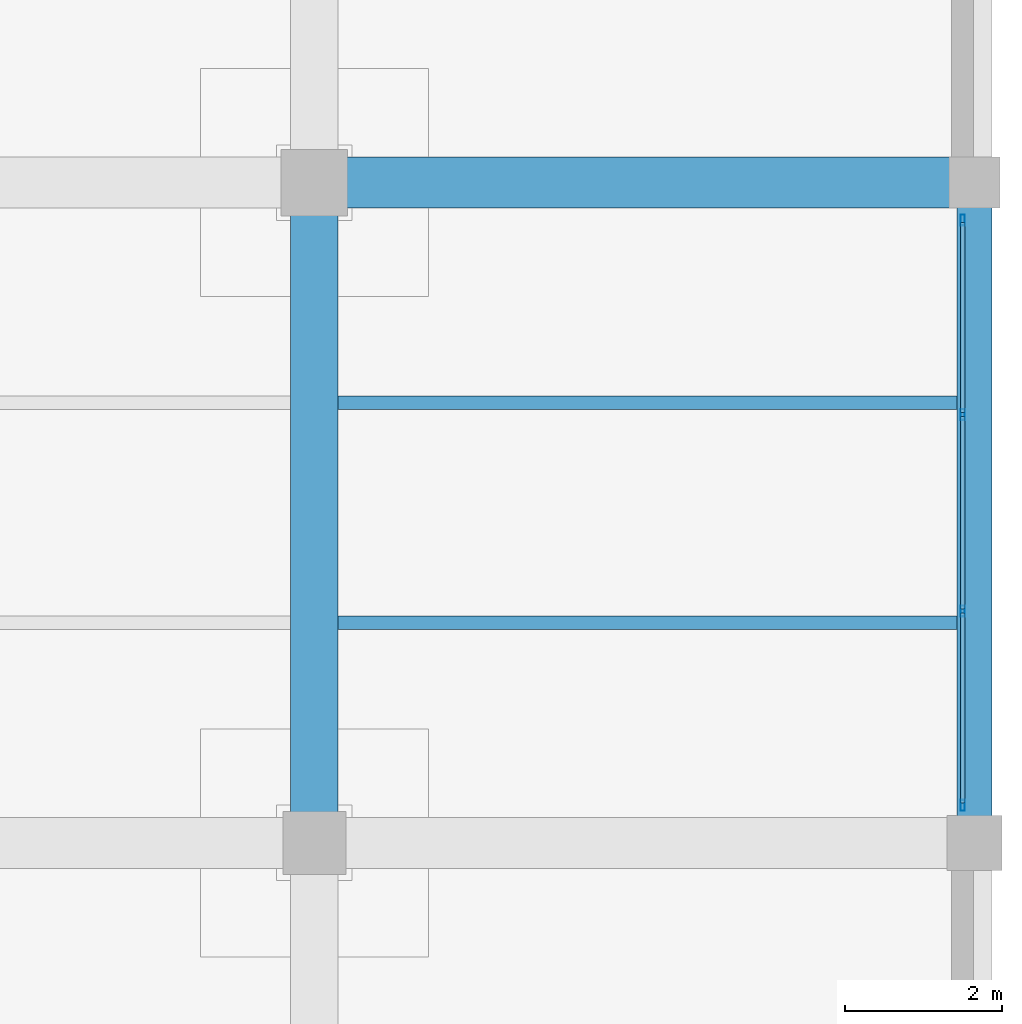
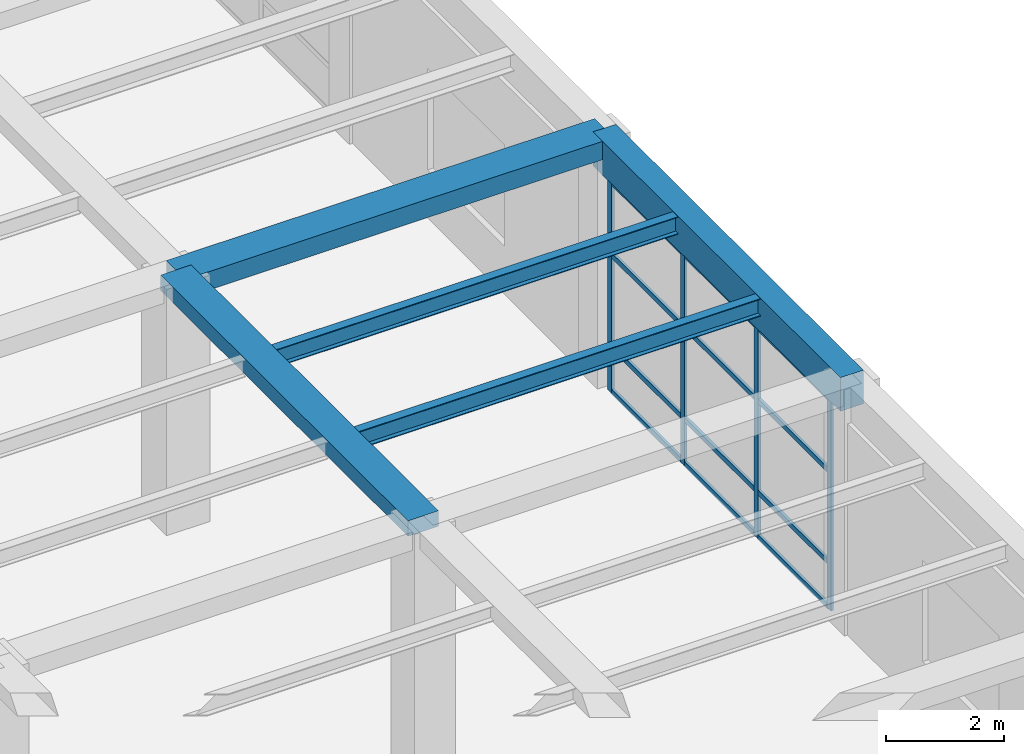
# One storey, part 34 of 65: 16 members, 5 beams, 1 element without a shape of its own.
"""IFC4 building model written with IfcOpenShell, lengths in metres."""

import ifcopenshell
import ifcopenshell.guid

model = None  # the IFC model being written
_history = None  # IfcOwnerHistory: only IFC2X3 demands one
_inside = {}  # id of a spatial element -> (the spatial element, [elements in it])
_under = {}  # id of a project, library or spatial element -> (it, [spatial elements below it])
_declared = {}  # id of a project -> (the project, [libraries it declares])
_typed = {}  # id of a type object -> (the type object, [elements of that type])
_made_of = {}  # id of a material, layer set ... -> (it, [elements and type objects made of it])


def new_model(schema):
    """Start an empty IFC model of exactly this schema.

    Asked for "IFC4X3", IfcOpenShell would pick the latest addendum, in which some entities
    have other attributes; the version numbers below select the first issue.
    IFC2X3 requires an IfcOwnerHistory on every rooted entity: one is made here for all.
    """
    global model, _history
    if schema == "IFC4X3":
        model = ifcopenshell.file(schema_version=(4, 3, 0, 0))
    else:
        model = ifcopenshell.file(schema=schema)
    _inside.clear()
    _under.clear()
    _declared.clear()
    _typed.clear()
    _made_of.clear()
    _history = None
    if model.schema == "IFC2X3":
        org = make("IfcOrganization", Name="unknown")
        user = make(
            "IfcPersonAndOrganization",
            ThePerson=make("IfcPerson", FamilyName="unknown"),
            TheOrganization=org,
        )
        app = make(
            "IfcApplication",
            ApplicationDeveloper=org,
            Version="unknown",
            ApplicationFullName="unknown",
            ApplicationIdentifier="unknown",
        )
        _history = make(
            "IfcOwnerHistory",
            OwningUser=user,
            OwningApplication=app,
            ChangeAction="ADDED",
            CreationDate=0,
        )
    return model


def make(cls, **values):
    """One entity of the class cls with the attributes given. An attribute that is None is left unset."""
    return model.create_entity(
        cls, **{name: value for name, value in values.items() if value is not None}
    )


def rooted(cls, **values):
    """An entity with a GlobalId (a new one), such as an element, a storey or a relation."""
    return make(cls, GlobalId=ifcopenshell.guid.new(), OwnerHistory=_history, **values)


def si_unit(unit_type, name, prefix=None):
    """IfcSIUnit, for example si_unit("LENGTHUNIT", "METRE", prefix="MILLI")."""
    return make("IfcSIUnit", UnitType=unit_type, Prefix=prefix, Name=name)


def assignment(units):
    """IfcUnitAssignment: the units of a project."""
    return None if units is None else make("IfcUnitAssignment", Units=units)


def point(xyz):
    """IfcCartesianPoint."""
    return None if xyz is None else make("IfcCartesianPoint", Coordinates=xyz)


def direction(xyz):
    """IfcDirection."""
    return None if xyz is None else make("IfcDirection", DirectionRatios=xyz)


def frame(location, z_axis=None, x_axis=None):
    """IfcAxis2Placement3D, a coordinate frame: its origin and axes. An axis left out is left unset."""
    return make(
        "IfcAxis2Placement3D",
        Location=point(location),
        Axis=direction(z_axis),
        RefDirection=direction(x_axis),
    )


def frame_2d(location, x_axis=None):
    """IfcAxis2Placement2D, a coordinate frame in the plane: its origin and x axis."""
    return make(
        "IfcAxis2Placement2D", Location=point(location), RefDirection=direction(x_axis)
    )


def origin():
    """The frame at (0, 0, 0) with its axes left unset."""
    return frame((0.0, 0.0, 0.0))


def origin_2d():
    """The frame at (0, 0) in the plane with its x axis left unset."""
    return frame_2d((0.0, 0.0))


def place(relative_to, where):
    """IfcLocalPlacement: puts the frame where relative to a parent placement (None: the world)."""
    return make(
        "IfcLocalPlacement", PlacementRelTo=relative_to, RelativePlacement=where
    )


def context(
    kind, dimensions, precision=None, world=None, true_north=None, identifier=None
):
    """IfcGeometricRepresentationContext, for example the 3D "Model" context."""
    return make(
        "IfcGeometricRepresentationContext",
        ContextIdentifier=identifier,
        ContextType=kind,
        CoordinateSpaceDimension=dimensions,
        Precision=precision,
        WorldCoordinateSystem=world,
        TrueNorth=true_north,
    )


def subcontext(parent, identifier, kind, view, scale=None):
    """IfcGeometricRepresentationSubContext, for example "Body" below "Model"."""
    return make(
        "IfcGeometricRepresentationSubContext",
        ContextIdentifier=identifier,
        ContextType=kind,
        ParentContext=parent,
        TargetScale=scale,
        TargetView=view,
    )


def project(units=None, contexts=None):
    """IfcProject with its units and contexts."""
    return rooted(
        "IfcProject",
        Name="project",
        RepresentationContexts=contexts,
        UnitsInContext=assignment(units),
    )


def spatial(cls, under=None, at=None, **own):
    """A site, building, storey or space (cls), placed at a placement, below another one or the project."""
    s = rooted(cls, ObjectPlacement=at, **own)
    if under is not None:
        _under.setdefault(under.id(), (under, []))[1].append(s)
    return s


def profile(cls, at=None, kind="AREA", **sizes):
    """A parametric profile (cls). Its sizes go by their IFC names, for example OverallWidth=200.0."""
    return make(cls, ProfileType=kind, Position=at, **sizes)


def rectangle(**sizes):
    """IfcRectangleProfileDef."""
    return profile("IfcRectangleProfileDef", **sizes)


def hollow_rectangle(**sizes):
    """IfcRectangleHollowProfileDef."""
    return profile("IfcRectangleHollowProfileDef", **sizes)


def i_section(**sizes):
    """IfcIShapeProfileDef."""
    return profile("IfcIShapeProfileDef", **sizes)


def extrude(swept, where, along, depth):
    """IfcExtrudedAreaSolid: the profile swept, set in the frame where, extruded along a direction by depth."""
    return make(
        "IfcExtrudedAreaSolid",
        SweptArea=swept,
        Position=where,
        ExtrudedDirection=direction(along),
        Depth=depth,
    )


def shape(context_of_items, identifier, shape_type, items):
    """IfcShapeRepresentation: the items that make up one representation, for example the "Body"."""
    return make(
        "IfcShapeRepresentation",
        ContextOfItems=context_of_items,
        RepresentationIdentifier=identifier,
        RepresentationType=shape_type,
        Items=items,
    )


def material(Name=None, Category=None):
    """IfcMaterial."""
    return make("IfcMaterial", Name=Name, Category=Category)


def material_profile(
    of_material, cross_section, Name=None, Category=None, Priority=None
):
    """IfcMaterialProfile: a cross section and its material."""
    return make(
        "IfcMaterialProfile",
        Name=Name,
        Material=of_material,
        Profile=cross_section,
        Priority=Priority,
        Category=Category,
    )


def profile_set(profiles, Name=None, composite=None):
    """IfcMaterialProfileSet."""
    return make(
        "IfcMaterialProfileSet",
        Name=Name,
        MaterialProfiles=profiles,
        CompositeProfile=composite,
    )


def made_of(thing, what):
    """Note that an element or type object is made of a material, layer set ...; save() writes the relation."""
    if what is not None:
        _made_of.setdefault(what.id(), (what, []))[1].append(thing)
    return thing


def type_object(cls, material=None, **own):
    """A type object (cls), such as IfcWallType, which elements share."""
    return made_of(rooted(cls, **own), material)


def element(
    cls,
    number,
    at=None,
    inside=None,
    cuts=None,
    type_object=None,
    material=None,
    context=None,
    identifier="Body",
    shape_type=None,
    held_by="IfcProductDefinitionShape",
    body=None,
    shapes=None,
    **own,
):
    """One element of the class cls, such as IfcWall. Its Tag is "e" and its number.

    at: its placement. inside: the storey or other place that contains it. cuts: it is an
    opening in that element (IfcRelVoidsElement). A single representation is given by context,
    identifier, shape_type and body (its items); several are given by shapes. held_by: the class
    of the entity that holds the representations. save() writes the other relations.
    """
    e = rooted(cls, Tag="e%d" % number, ObjectPlacement=at, **own)
    if body is not None:
        shapes = [shape(context, identifier, shape_type, body)]
    if shapes is not None:
        e.Representation = make(held_by, Representations=shapes)
    if inside is not None:
        _inside.setdefault(inside.id(), (inside, []))[1].append(e)
    if cuts is not None:
        rooted(
            "IfcRelVoidsElement", RelatingBuildingElement=cuts, RelatedOpeningElement=e
        )
    if type_object is not None:
        _typed.setdefault(type_object.id(), (type_object, []))[1].append(e)
    return made_of(e, material)


def aggregate(whole, parts):
    """IfcRelAggregates: a whole, such as a stair, and the parts it consists of."""
    return rooted("IfcRelAggregates", RelatingObject=whole, RelatedObjects=parts)


def save(model, path):
    """Write the relations noted so far, then the file.

    IfcRelAggregates (storeys below a building ...), IfcRelContainedInSpatialStructure (elements
    in a storey), IfcRelDefinesByType, IfcRelAssociatesMaterial and IfcRelDeclares: one each for
    every whole, place, type object, material and project.
    """
    for whole, parts in _under.values():
        aggregate(whole, parts)
    for where, things in _inside.values():
        rooted(
            "IfcRelContainedInSpatialStructure",
            RelatedElements=things,
            RelatingStructure=where,
        )
    for kind, things in _typed.values():
        rooted("IfcRelDefinesByType", RelatedObjects=things, RelatingType=kind)
    for what, things in _made_of.values():
        rooted("IfcRelAssociatesMaterial", RelatedObjects=things, RelatingMaterial=what)
    for by, libraries in _declared.values():
        rooted("IfcRelDeclares", RelatingContext=by, RelatedDefinitions=libraries)
    model.write(path)


model = new_model("IFC4")

# Units and contexts
model_context = context("Model", 3, precision=1e-05, world=origin(), true_north=direction((0.0, 1.0)))
body_context = subcontext(model_context, "Body", "Model", "MODEL_VIEW")
ifc_project = project(units=[si_unit("LENGTHUNIT", "METRE"), si_unit("AREAUNIT", "SQUARE_METRE"), si_unit("VOLUMEUNIT", "CUBIC_METRE"), si_unit("PLANEANGLEUNIT", "RADIAN"), si_unit("MASSUNIT", "GRAM", prefix="KILO")], contexts=[model_context])

# Site, building, storey
site_placement = place(None, origin())
site = spatial("IfcSite", under=ifc_project, at=site_placement, CompositionType="ELEMENT")
building_placement = place(site_placement, origin())
building = spatial("IfcBuilding", under=site, at=building_placement, Name="Almacenes y Pasaje Nevantli", CompositionType="ELEMENT")
storey_placement = place(building_placement, frame((0.0, 0.0, 16.800048828125)))
storey = spatial("IfcBuildingStorey", under=building, at=storey_placement, Name="L04", CompositionType="ELEMENT", Elevation=16.800048828125)

# Beams
ifc_material_1 = material(Name="Concrete C35/45", Category="concrete")
ifc_material_profile_1 = material_profile(ifc_material_1, rectangle(XDim=0.449951171875, YDim=0.699951171875, at=origin_2d()), Name="RC-BM-450x700")
ifc_profile_set_1 = profile_set([ifc_material_profile_1], Name="Concrete C35/45")
beam_type_1 = type_object("IfcBeamType", Name="BM-RC-450x700", PredefinedType="SPANDREL", material=ifc_profile_set_1)
beam_1_placement = place(storey_placement, frame((168.0, 67.199951171875, 4.75), z_axis=(0.0, 1.0, 0.0), x_axis=(-1.0, 0.0, 0.0)))
element("IfcBeam", 1, at=beam_1_placement, inside=storey, type_object=beam_type_1, Name="L04 North-South Reinforced Concrete Beam #3223", PredefinedType="SPANDREL", context=body_context, shape_type="SweptSolid", body=[
    extrude(rectangle(XDim=0.449951171875, YDim=0.699951171875, at=origin_2d()), origin(), (0.0, 0.0, 1.0), 8.400146484375),
])
ifc_material_2 = material(Name="Concrete C35/45", Category="concrete")
ifc_material_profile_2 = material_profile(ifc_material_2, rectangle(XDim=0.60009765625, YDim=0.320068359375, at=origin_2d()), Name="RC-BM-600x320")
ifc_profile_set_2 = profile_set([ifc_material_profile_2], Name="Concrete C35/45")
beam_type_2 = type_object("IfcBeamType", Name="BM-RC-600x320", PredefinedType="BEAM", material=ifc_profile_set_2)
beam_2_placement = place(storey_placement, frame((159.60009765625, 67.199951171875, 4.93994140625), z_axis=(0.0, 1.0, 0.0), x_axis=(-1.0, 0.0, 0.0)))
element("IfcBeam", 2, at=beam_2_placement, inside=storey, type_object=beam_type_2, Name="L04 North-South Reinforced Concrete Beam #3209", PredefinedType="BEAM", context=body_context, shape_type="SweptSolid", body=[
    extrude(rectangle(XDim=0.60009765625, YDim=0.320068359375, at=origin_2d()), origin(), (0.0, 0.0, 1.0), 8.400146484375),
])
ifc_material_3 = material(Name="Concrete C35/45", Category="concrete")
ifc_material_profile_3 = material_profile(ifc_material_3, rectangle(XDim=0.64990234375, YDim=0.3798828125, at=origin_2d()), Name="RC-BM-650x380")
ifc_profile_set_3 = profile_set([ifc_material_profile_3], Name="Concrete C35/45")
beam_type_3 = type_object("IfcBeamType", Name="BM-RC-650x380", PredefinedType="BEAM", material=ifc_profile_set_3)
beam_3_placement = place(storey_placement, frame((159.60009765625, 75.60009765625, 4.909912109375), z_axis=(1.0, 0.0, 0.0), x_axis=(0.0, 1.0, 0.0)))
element("IfcBeam", 3, at=beam_3_placement, inside=storey, type_object=beam_type_3, Name="L04 East-West Reinforced Concrete Beam #2904", PredefinedType="BEAM", context=body_context, shape_type="SweptSolid", body=[
    extrude(rectangle(XDim=0.64990234375, YDim=0.3798828125, at=origin_2d()), origin(), (0.0, 0.0, 1.0), 8.39990234375),
])
ifc_material_4 = material(Name="Steel ASTM A992", Category="steel")
ifc_material_profile_4 = material_profile(ifc_material_4, i_section(OverallWidth=0.173095703125, OverallDepth=0.364013671875, WebThickness=0.009033203125, FlangeThickness=0.015625, at=origin_2d()), Name="IR 356x67.0")
ifc_profile_set_4 = profile_set([ifc_material_profile_4], Name="Steel ASTM A992")
beam_type_4 = type_object("IfcBeamType", Name="BM-STL-IR-356x67p0", PredefinedType="JOIST", material=ifc_profile_set_4)
for number, where, z_axis, x_axis, name in (
    (4, (159.89990234375, 70.0, 4.909912109375), (1.0, 0.0, 0.0), (0.0, 1.0, 0.0), "L04 Secondary Steel Floor Joist #1341"),
    (5, (159.89990234375, 72.800048828125, 4.909912109375), (1.0, 0.0, 0.0), (0.0, 1.0, 0.0), "L04 Secondary Steel Floor Joist #1342"),
):
    element("IfcBeam", number, at=place(storey_placement, frame(where, z_axis=z_axis, x_axis=x_axis)), inside=storey, type_object=beam_type_4, Name=name, PredefinedType="JOIST", context=body_context, shape_type="SweptSolid", body=[
        extrude(i_section(OverallWidth=0.173095703125, OverallDepth=0.364013671875, WebThickness=0.009033203125, FlangeThickness=0.015625, at=origin_2d()), origin(), (0.0, 0.0, 1.0), 7.875),
    ])

# Curtain wall, members
ifc_material_5 = material(Name="Thermally Broken Aluminium and Low-E Glass", Category="aluminium")
curtain_wall_type = type_object("IfcCurtainWallType", Name="CW-UNIT-PODIUM", PredefinedType="USERDEFINED", material=ifc_material_5)
curtain_wall_placement = place(storey_placement, origin())
curtain_wall = element("IfcCurtainWall", 6, at=curtain_wall_placement, inside=storey, type_object=curtain_wall_type, Name="L04 East Office Wing Curtain Wall Bay 9", ObjectType="UNITIZED CURTAIN WALL", PredefinedType="USERDEFINED")
ifc_material_6 = material(Name="Thermally Broken Anodized Aluminium", Category="aluminium")
ifc_material_profile_5 = material_profile(ifc_material_6, hollow_rectangle(XDim=0.054931640625, YDim=0.139892578125, WallThickness=0.00341796875, at=origin_2d()), Name="ALU-MUL-55x140")
ifc_profile_set_5 = profile_set([ifc_material_profile_5], Name="Thermally Broken Anodized Aluminium")
member_type_1 = type_object("IfcMemberType", Name="CW-MUL-160", PredefinedType="MULLION", material=ifc_profile_set_5)
member_1_placement = place(storey_placement, frame((167.85009765625, 67.677490234375, 0.0), z_axis=(0.0, 0.0, 1.0), x_axis=(-1.0, 0.0, 0.0)))
member_1 = element("IfcMember", 7, at=member_1_placement, type_object=member_type_1, Name="CW-L04-080 mullion 1", PredefinedType="MULLION", context=body_context, shape_type="SweptSolid", body=[
    extrude(hollow_rectangle(XDim=0.054931640625, YDim=0.139892578125, WallThickness=0.00341796875, at=origin_2d()), origin(), (0.0, 0.0, 1.0), 4.3798828125),
])
member_2_placement = place(storey_placement, frame((167.85009765625, 70.14990234375, 0.0), z_axis=(0.0, 0.0, 1.0), x_axis=(-1.0, 0.0, 0.0)))
member_2 = element("IfcMember", 8, at=member_2_placement, type_object=member_type_1, Name="CW-L04-080 mullion 2", PredefinedType="MULLION", context=body_context, shape_type="SweptSolid", body=[
    extrude(hollow_rectangle(XDim=0.054931640625, YDim=0.139892578125, WallThickness=0.00341796875, at=origin_2d()), origin(), (0.0, 0.0, 1.0), 4.3798828125),
])
member_3_placement = place(storey_placement, frame((167.85009765625, 72.64990234375, 0.0), z_axis=(0.0, 0.0, 1.0), x_axis=(-1.0, 0.0, 0.0)))
member_3 = element("IfcMember", 9, at=member_3_placement, type_object=member_type_1, Name="CW-L04-080 mullion 3", PredefinedType="MULLION", context=body_context, shape_type="SweptSolid", body=[
    extrude(hollow_rectangle(XDim=0.054931640625, YDim=0.139892578125, WallThickness=0.00341796875, at=origin_2d()), origin(), (0.0, 0.0, 1.0), 4.3798828125),
])
member_4_placement = place(storey_placement, frame((167.85009765625, 75.12255859375, 0.0), z_axis=(0.0, 0.0, 1.0), x_axis=(-1.0, 0.0, 0.0)))
member_4 = element("IfcMember", 10, at=member_4_placement, type_object=member_type_1, Name="CW-L04-080 mullion 4", PredefinedType="MULLION", context=body_context, shape_type="SweptSolid", body=[
    extrude(hollow_rectangle(XDim=0.054931640625, YDim=0.139892578125, WallThickness=0.00341796875, at=origin_2d()), origin(), (0.0, 0.0, 1.0), 4.3798828125),
])
ifc_material_7 = material(Name="Thermally Broken Anodized Aluminium", Category="aluminium")
ifc_material_profile_6 = material_profile(ifc_material_7, hollow_rectangle(XDim=0.054931640625, YDim=0.10498046875, WallThickness=0.003173828125, at=origin_2d()), Name="ALU-TRN-55x105")
ifc_profile_set_6 = profile_set([ifc_material_profile_6], Name="Thermally Broken Anodized Aluminium")
member_type_2 = type_object("IfcMemberType", Name="CW-TRN-120", PredefinedType="USERDEFINED", material=ifc_profile_set_6)
member_5_placement = place(storey_placement, frame((167.85009765625, 67.705078125, 0.02734375), z_axis=(0.0, 1.0, 0.0), x_axis=(-1.0, 0.0, 0.0)))
member_5 = element("IfcMember", 11, at=member_5_placement, type_object=member_type_2, Name="CW-L04-080 transom 1.1", ObjectType="TRANSOM", PredefinedType="USERDEFINED", context=body_context, shape_type="SweptSolid", body=[
    extrude(hollow_rectangle(XDim=0.054931640625, YDim=0.10498046875, WallThickness=0.003173828125, at=origin_2d()), origin(), (0.0, 0.0, 1.0), 2.41748046875),
])
member_6_placement = place(storey_placement, frame((167.85009765625, 67.705078125, 0.949951171875), z_axis=(0.0, 1.0, 0.0), x_axis=(-1.0, 0.0, 0.0)))
member_6 = element("IfcMember", 12, at=member_6_placement, type_object=member_type_2, Name="CW-L04-080 transom 1.2", ObjectType="TRANSOM", PredefinedType="USERDEFINED", context=body_context, shape_type="SweptSolid", body=[
    extrude(hollow_rectangle(XDim=0.054931640625, YDim=0.10498046875, WallThickness=0.003173828125, at=origin_2d()), origin(), (0.0, 0.0, 1.0), 2.41748046875),
])
member_7_placement = place(storey_placement, frame((167.85009765625, 67.705078125, 2.849853515625), z_axis=(0.0, 1.0, 0.0), x_axis=(-1.0, 0.0, 0.0)))
member_7 = element("IfcMember", 13, at=member_7_placement, type_object=member_type_2, Name="CW-L04-080 transom 1.3", ObjectType="TRANSOM", PredefinedType="USERDEFINED", context=body_context, shape_type="SweptSolid", body=[
    extrude(hollow_rectangle(XDim=0.054931640625, YDim=0.10498046875, WallThickness=0.003173828125, at=origin_2d()), origin(), (0.0, 0.0, 1.0), 2.41748046875),
])
member_8_placement = place(storey_placement, frame((167.85009765625, 67.705078125, 4.3525390625), z_axis=(0.0, 1.0, 0.0), x_axis=(-1.0, 0.0, 0.0)))
member_8 = element("IfcMember", 14, at=member_8_placement, type_object=member_type_2, Name="CW-L04-080 transom 1.4", ObjectType="TRANSOM", PredefinedType="USERDEFINED", context=body_context, shape_type="SweptSolid", body=[
    extrude(hollow_rectangle(XDim=0.054931640625, YDim=0.10498046875, WallThickness=0.003173828125, at=origin_2d()), origin(), (0.0, 0.0, 1.0), 2.41748046875),
])
member_9_placement = place(storey_placement, frame((167.85009765625, 70.177490234375, 0.02734375), z_axis=(0.0, 1.0, 0.0), x_axis=(-1.0, 0.0, 0.0)))
member_9 = element("IfcMember", 15, at=member_9_placement, type_object=member_type_2, Name="CW-L04-080 transom 2.1", ObjectType="TRANSOM", PredefinedType="USERDEFINED", context=body_context, shape_type="SweptSolid", body=[
    extrude(hollow_rectangle(XDim=0.054931640625, YDim=0.10498046875, WallThickness=0.003173828125, at=origin_2d()), origin(), (0.0, 0.0, 1.0), 2.445068359375),
])
member_10_placement = place(storey_placement, frame((167.85009765625, 70.177490234375, 0.949951171875), z_axis=(0.0, 1.0, 0.0), x_axis=(-1.0, 0.0, 0.0)))
member_10 = element("IfcMember", 16, at=member_10_placement, type_object=member_type_2, Name="CW-L04-080 transom 2.2", ObjectType="TRANSOM", PredefinedType="USERDEFINED", context=body_context, shape_type="SweptSolid", body=[
    extrude(hollow_rectangle(XDim=0.054931640625, YDim=0.10498046875, WallThickness=0.003173828125, at=origin_2d()), origin(), (0.0, 0.0, 1.0), 2.445068359375),
])
member_11_placement = place(storey_placement, frame((167.85009765625, 70.177490234375, 2.849853515625), z_axis=(0.0, 1.0, 0.0), x_axis=(-1.0, 0.0, 0.0)))
member_11 = element("IfcMember", 17, at=member_11_placement, type_object=member_type_2, Name="CW-L04-080 transom 2.3", ObjectType="TRANSOM", PredefinedType="USERDEFINED", context=body_context, shape_type="SweptSolid", body=[
    extrude(hollow_rectangle(XDim=0.054931640625, YDim=0.10498046875, WallThickness=0.003173828125, at=origin_2d()), origin(), (0.0, 0.0, 1.0), 2.445068359375),
])
member_12_placement = place(storey_placement, frame((167.85009765625, 70.177490234375, 4.3525390625), z_axis=(0.0, 1.0, 0.0), x_axis=(-1.0, 0.0, 0.0)))
member_12 = element("IfcMember", 18, at=member_12_placement, type_object=member_type_2, Name="CW-L04-080 transom 2.4", ObjectType="TRANSOM", PredefinedType="USERDEFINED", context=body_context, shape_type="SweptSolid", body=[
    extrude(hollow_rectangle(XDim=0.054931640625, YDim=0.10498046875, WallThickness=0.003173828125, at=origin_2d()), origin(), (0.0, 0.0, 1.0), 2.445068359375),
])
member_13_placement = place(storey_placement, frame((167.85009765625, 72.677490234375, 0.02734375), z_axis=(0.0, 1.0, 0.0), x_axis=(-1.0, 0.0, 0.0)))
member_13 = element("IfcMember", 19, at=member_13_placement, type_object=member_type_2, Name="CW-L04-080 transom 3.1", ObjectType="TRANSOM", PredefinedType="USERDEFINED", context=body_context, shape_type="SweptSolid", body=[
    extrude(hollow_rectangle(XDim=0.054931640625, YDim=0.10498046875, WallThickness=0.003173828125, at=origin_2d()), origin(), (0.0, 0.0, 1.0), 2.41748046875),
])
member_14_placement = place(storey_placement, frame((167.85009765625, 72.677490234375, 0.949951171875), z_axis=(0.0, 1.0, 0.0), x_axis=(-1.0, 0.0, 0.0)))
member_14 = element("IfcMember", 20, at=member_14_placement, type_object=member_type_2, Name="CW-L04-080 transom 3.2", ObjectType="TRANSOM", PredefinedType="USERDEFINED", context=body_context, shape_type="SweptSolid", body=[
    extrude(hollow_rectangle(XDim=0.054931640625, YDim=0.10498046875, WallThickness=0.003173828125, at=origin_2d()), origin(), (0.0, 0.0, 1.0), 2.41748046875),
])
member_15_placement = place(storey_placement, frame((167.85009765625, 72.677490234375, 2.849853515625), z_axis=(0.0, 1.0, 0.0), x_axis=(-1.0, 0.0, 0.0)))
member_15 = element("IfcMember", 21, at=member_15_placement, type_object=member_type_2, Name="CW-L04-080 transom 3.3", ObjectType="TRANSOM", PredefinedType="USERDEFINED", context=body_context, shape_type="SweptSolid", body=[
    extrude(hollow_rectangle(XDim=0.054931640625, YDim=0.10498046875, WallThickness=0.003173828125, at=origin_2d()), origin(), (0.0, 0.0, 1.0), 2.41748046875),
])
member_16_placement = place(storey_placement, frame((167.85009765625, 72.677490234375, 4.3525390625), z_axis=(0.0, 1.0, 0.0), x_axis=(-1.0, 0.0, 0.0)))
member_16 = element("IfcMember", 22, at=member_16_placement, type_object=member_type_2, Name="CW-L04-080 transom 3.4", ObjectType="TRANSOM", PredefinedType="USERDEFINED", context=body_context, shape_type="SweptSolid", body=[
    extrude(hollow_rectangle(XDim=0.054931640625, YDim=0.10498046875, WallThickness=0.003173828125, at=origin_2d()), origin(), (0.0, 0.0, 1.0), 2.41748046875),
])
aggregate(curtain_wall, [member_1, member_2, member_3, member_4, member_5, member_6, member_7, member_8, member_9, member_10, member_11, member_12, member_13, member_14, member_15, member_16])

save(model, "model.ifc")
